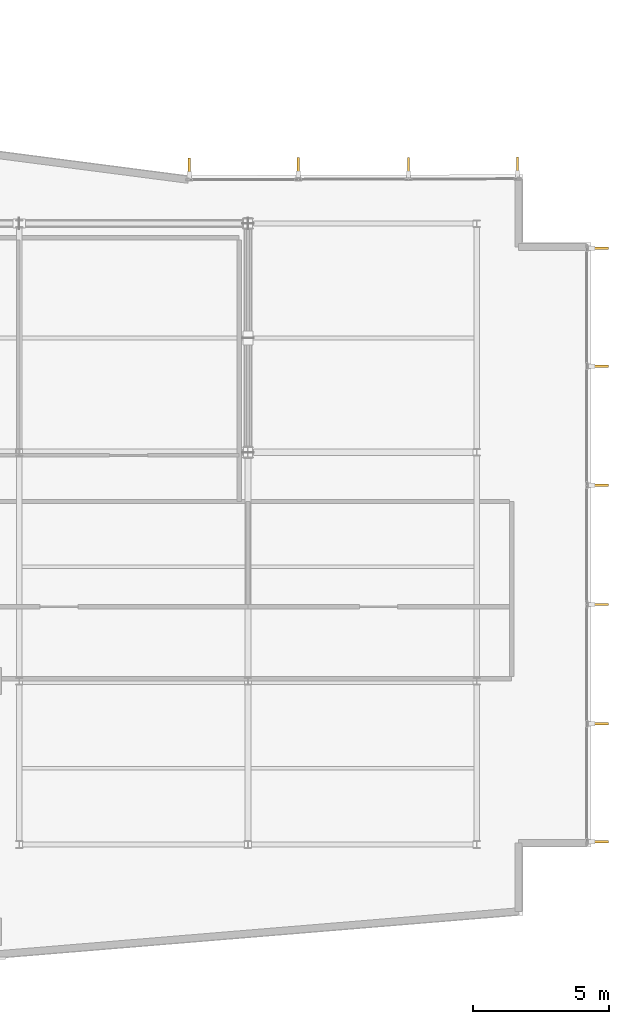
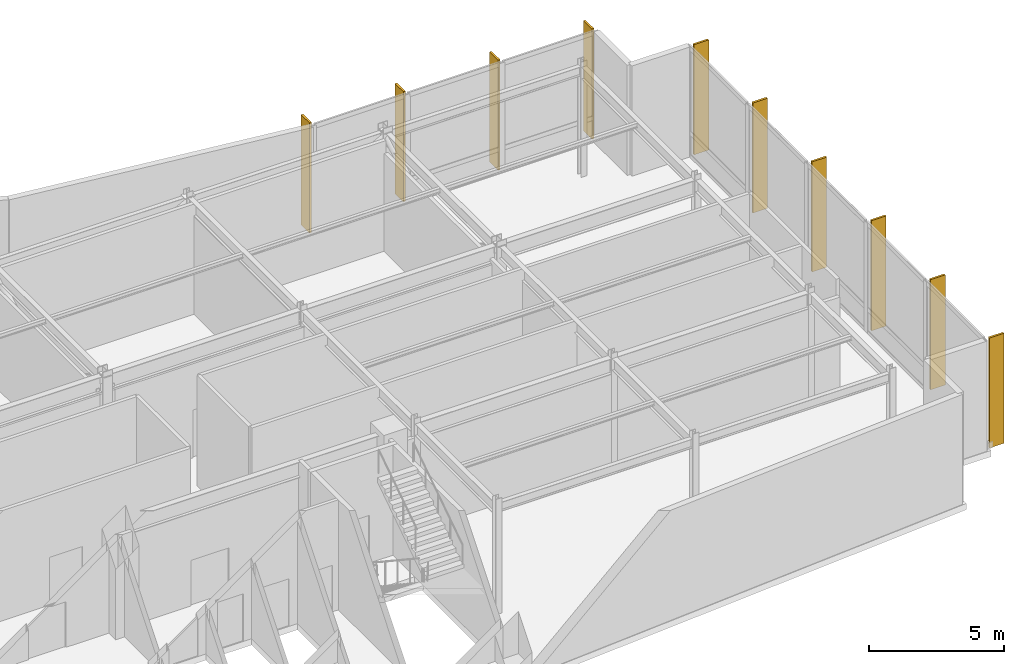
# One storey, part 14 of 15: 10 shading devices.
"""IFC4 building model written with IfcOpenShell, lengths in metres."""

from ifc_helpers import new_model, si_unit, direction, frame, origin, origin_2d, place, context, subcontext, project, spatial, rectangle, extrude, material, layer, layer_set, type_object, element, save


model = new_model("IFC4")

# Units and contexts
model_context = context("Model", 3, precision=1e-05, world=origin(), true_north=direction((0.0, 1.0)))
body_context = subcontext(model_context, "Body", "Model", "MODEL_VIEW")
ifc_project = project(units=[si_unit("LENGTHUNIT", "METRE"), si_unit("AREAUNIT", "SQUARE_METRE"), si_unit("VOLUMEUNIT", "CUBIC_METRE"), si_unit("PLANEANGLEUNIT", "RADIAN"), si_unit("MASSUNIT", "GRAM", prefix="KILO")], contexts=[model_context])

# Site, building, storey
site_placement = place(None, origin())
site = spatial("IfcSite", under=ifc_project, at=site_placement, CompositionType="ELEMENT")
building_placement = place(site_placement, origin())
building = spatial("IfcBuilding", under=site, at=building_placement, Name="Varnakote Quay Hospital", CompositionType="ELEMENT")
storey_placement = place(building_placement, frame((0.0, 0.0, 235.550048828125)))
storey = spatial("IfcBuildingStorey", under=building, at=storey_placement, Name="L58", CompositionType="ELEMENT", Elevation=235.550048828125)

# Shading devices
ifc_material = material(Name="Anodised aluminium 6063-T6 Bronze", Category="aluminium")
ifc_layer = layer(ifc_material, 0.0849609375)
ifc_layer_set = layer_set([ifc_layer], Name="Anodised aluminium 6063-T6 Bronze")
shading_device_type = type_object("IfcShadingDeviceType", Name="SHD-BRONZE-FIN-620", PredefinedType="USERDEFINED", material=ifc_layer_set)
for number, where, z_axis, x_axis, name in (
    (1, (46.530029296875, 6.1025390625, 0.0), (0.0, 0.0, 1.0), (-1.0, 0.0, 0.0), "L58 Anodised Bronze Vertical Shading FIN"),
    (2, (46.530029296875, 10.43603515625, 0.0), (0.0, 0.0, 1.0), (-1.0, 0.0, 0.0), "L58 Anodised Bronze Vertical Shading FIN"),
    (3, (46.530029296875, 14.81201171875, 0.0), (0.0, 0.0, 1.0), (-1.0, 0.0, 0.0), "L58 Anodised Bronze Vertical Shading FIN"),
    (4, (46.530029296875, 19.18798828125, 0.0), (0.0, 0.0, 1.0), (-1.0, 0.0, 0.0), "L58 Anodised Bronze Vertical Shading FIN"),
    (5, (46.530029296875, 23.56396484375, 0.0), (0.0, 0.0, 1.0), (-1.0, 0.0, 0.0), "L58 Anodised Bronze Vertical Shading FIN"),
    (6, (46.530029296875, 27.8974609375, 0.0), (0.0, 0.0, 1.0), (-1.0, 0.0, 0.0), "L58 Anodised Bronze Vertical Shading FIN"),
    (7, (43.49609375, 30.929443359375, 0.0), (0.0, 0.0, 1.0), (0.002617990887, -0.999996573056, 0.0), "L58 Anodised Bronze Vertical Shading FIN"),
    (8, (39.493896484375, 30.919189453125, 0.0), (0.0, 0.0, 1.0), (0.002617990887, -0.999996573056, 0.0), "L58 Anodised Bronze Vertical Shading FIN"),
    (9, (35.44921875, 30.908447265625, 0.0), (0.0, 0.0, 1.0), (0.002617990887, -0.999996573056, 0.0), "L58 Anodised Bronze Vertical Shading FIN"),
    (10, (31.447021484375, 30.898193359375, 0.0), (0.0, 0.0, 1.0), (0.002617990887, -0.999996573056, 0.0), "L58 Anodised Bronze Vertical Shading FIN"),
):
    element("IfcShadingDevice", number, at=place(storey_placement, frame(where, z_axis=z_axis, x_axis=x_axis)), inside=storey, type_object=shading_device_type, Name=name, ObjectType="FIN", PredefinedType="USERDEFINED", context=body_context, shape_type="SweptSolid", body=[
        extrude(rectangle(XDim=0.6201171875, YDim=0.0849609375, at=origin_2d()), origin(), (0.0, 0.0, 1.0), 4.9599609375),
    ])

save(model, "model.ifc")
